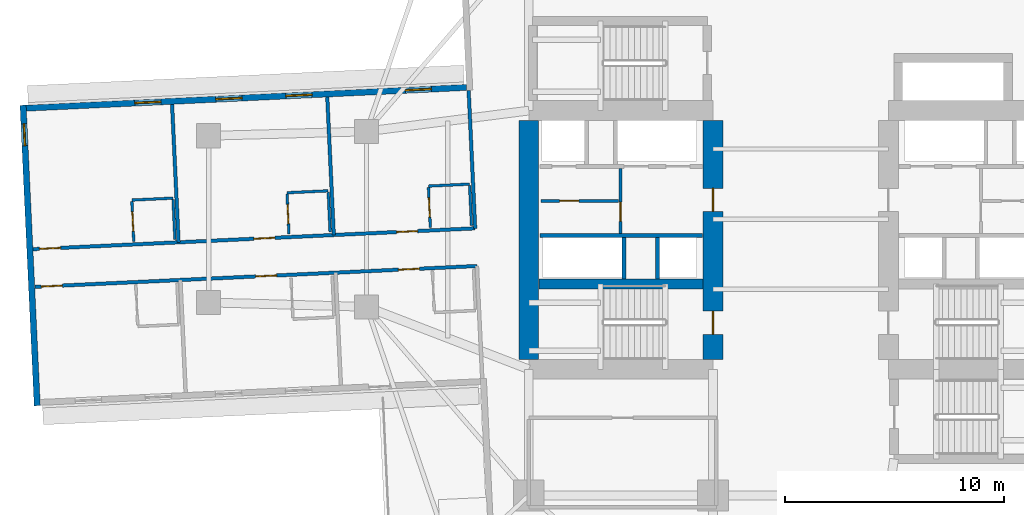
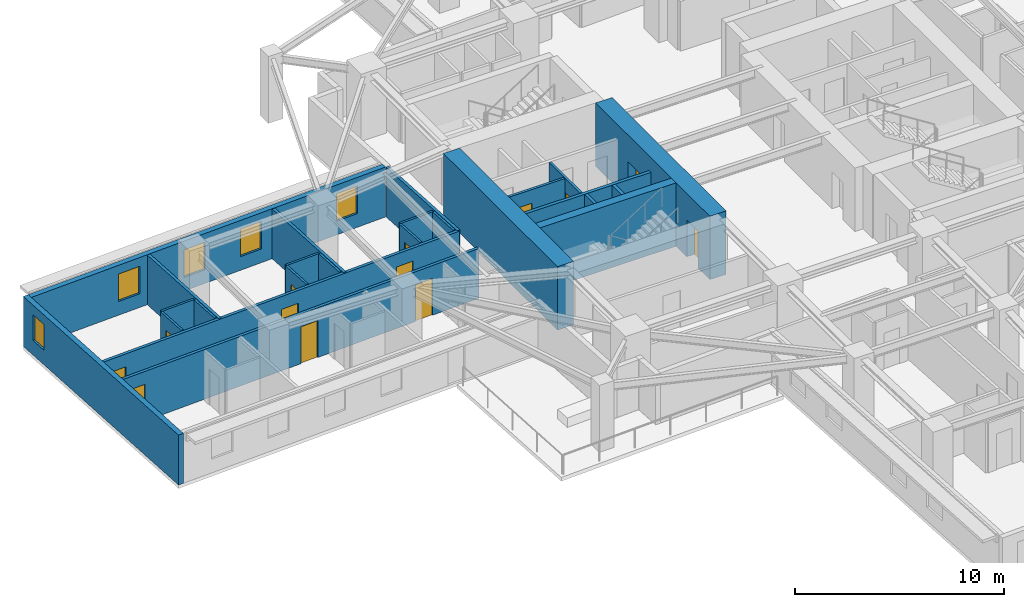
# One storey, part 5 of 14: 24 walls, 13 doors, 5 windows, 18 openings.
"""IFC4 building model written with IfcOpenShell, lengths in metres."""

from ifc_helpers import new_model, si_unit, direction, frame, frame_2d, origin, place, context, subcontext, project, spatial, rectangle, extrude, material, layer, layer_set, type_object, element, fill, save


model = new_model("IFC4")

# Units and contexts
model_context = context("Model", 3, precision=1e-05, world=origin(), true_north=direction((0.0, 1.0)))
body_context = subcontext(model_context, "Body", "Model", "MODEL_VIEW")
ifc_project = project(units=[si_unit("LENGTHUNIT", "METRE"), si_unit("AREAUNIT", "SQUARE_METRE"), si_unit("VOLUMEUNIT", "CUBIC_METRE"), si_unit("PLANEANGLEUNIT", "RADIAN"), si_unit("MASSUNIT", "GRAM", prefix="KILO")], contexts=[model_context])

# Site, building, storey
site_placement = place(None, origin())
site = spatial("IfcSite", under=ifc_project, at=site_placement, CompositionType="ELEMENT")
building_placement = place(site_placement, origin())
building = spatial("IfcBuilding", under=site, at=building_placement, Name="Qingluan Cross Belvedere", CompositionType="ELEMENT")
storey_placement = place(building_placement, frame((0.0, 0.0, 52.199951171875)))
storey = spatial("IfcBuildingStorey", under=building, at=storey_placement, Name="L13", CompositionType="ELEMENT", Elevation=52.199951171875)

# Walls
ifc_material_1 = material(Name="Concrete C50", Category="concrete")
ifc_layer_1 = layer(ifc_material_1, 0.449951171875, Name="CoreShearWall_450")
ifc_layer_set_1 = layer_set([ifc_layer_1], Name="Concrete C50")
wall_type_1 = type_object("IfcWallType", Name="CoreShearWall_450", PredefinedType="SHEAR", material=ifc_layer_set_1)
wall_1_placement = place(storey_placement, frame((-11.945068359375, -2.9599609375, 0.0), z_axis=(0.0, 0.0, 1.0), x_axis=(1.0, 0.0, 0.0)))
element("IfcWall", 1, at=wall_1_placement, inside=storey, type_object=wall_type_1, Name="Split core W shear wall L13-M", PredefinedType="SHEAR", context=body_context, shape_type="SweptSolid", body=[
    extrude(rectangle(XDim=7.489990234375, YDim=0.449951171875, at=frame_2d((3.7451171875, 0.0))), origin(), (0.0, 0.0, 1.0), 3.699951171875),
])
ifc_material_2 = material(Name="Concrete C70", Category="concrete")
ifc_layer_2 = layer(ifc_material_2, 0.89990234375, Name="CoreShearWall_900")
ifc_layer_set_2 = layer_set([ifc_layer_2], Name="Concrete C70")
wall_type_2 = type_object("IfcWallType", Name="CoreShearWall_900", PredefinedType="SHEAR", material=ifc_layer_set_2)
wall_2_placement = place(storey_placement, frame((-12.39990234375, -6.39501953125, 0.0), z_axis=(0.0, 0.0, 1.0), x_axis=(0.0, 1.0, 0.0)))
element("IfcWall", 2, at=wall_2_placement, inside=storey, type_object=wall_type_2, Name="Split core W shear wall L13-W", PredefinedType="SHEAR", context=body_context, shape_type="SweptSolid", body=[
    extrude(rectangle(XDim=10.89013671875, YDim=0.89990234375, at=frame_2d((5.445068359375, 0.0))), origin(), (0.0, 0.0, 1.0), 3.699951171875),
])

# Wall, openings, doors
wall_3_placement = place(storey_placement, frame((-4.0, -6.39501953125, 0.0), z_axis=(0.0, 0.0, 1.0), x_axis=(0.0, 1.0, 0.0)))
wall_3 = element("IfcWall", 3, at=wall_3_placement, inside=storey, type_object=wall_type_2, Name="Split core W shear wall L13-E", PredefinedType="SHEAR", context=body_context, shape_type="SweptSolid", body=[
    extrude(rectangle(XDim=10.89013671875, YDim=0.89990234375, at=frame_2d((5.445068359375, 0.0))), origin(), (0.0, 0.0, 1.0), 3.699951171875),
])
opening_1_placement = place(wall_3_placement, frame((1.14501953125, 0.0, 0.0)))
opening_1 = element("IfcOpeningElement", 4, at=opening_1_placement, cuts=wall_3, Name="Opening FD-B11", PredefinedType="OPENING", context=body_context, shape_type="SweptSolid", body=[
    extrude(rectangle(XDim=1.050048828125, YDim=2.14990234375, at=frame_2d((0.52490234375, 1.074951171875))), frame((0.0, 0.4599609375, 0.0), z_axis=(0.0, -1.0, 0.0), x_axis=(1.0, 0.0, 0.0)), (0.0, 0.0, 1.0), 0.919921875),
])
opening_2_placement = place(wall_3_placement, frame((6.7451171875, 0.0, 0.0)))
opening_2 = element("IfcOpeningElement", 5, at=opening_2_placement, cuts=wall_3, Name="Opening FD-B11", PredefinedType="OPENING", context=body_context, shape_type="SweptSolid", body=[
    extrude(rectangle(XDim=1.050048828125, YDim=2.14990234375, at=frame_2d((0.52490234375, 1.074951171875))), frame((0.0, 0.4599609375, 0.0), z_axis=(0.0, -1.0, 0.0), x_axis=(1.0, 0.0, 0.0)), (0.0, 0.0, 1.0), 0.919921875),
])
ifc_material_3 = material(Name="Steel Class B smoke-seal fire door", Category="steel")
door_type_1 = type_object("IfcDoorType", Name="StairLobbyFireDoor_FDB", OperationType="NOTDEFINED", PredefinedType="DOOR", material=ifc_material_3)
door_1_placement = place(opening_1_placement, origin())
door_1 = element("IfcDoor", 6, at=door_1_placement, inside=storey, type_object=door_type_1, Name="Smoke-proof stair ST1 fire door L13", OperationType="SINGLE_SWING_RIGHT", OverallHeight=2.14990234375, OverallWidth=1.050048828125, PredefinedType="DOOR", context=body_context, shape_type="SweptSolid", body=[
    extrude(rectangle(XDim=1.050048828125, YDim=2.14990234375, at=frame_2d((0.52490234375, 1.074951171875))), frame((0.0, 0.02490234375, 0.0), z_axis=(0.0, -1.0, 0.0), x_axis=(1.0, 0.0, 0.0)), (0.0, 0.0, 1.0), 0.050048828125),
])
fill(opening_1, door_1)
door_2_placement = place(opening_2_placement, origin())
door_2 = element("IfcDoor", 7, at=door_2_placement, inside=storey, type_object=door_type_1, Name="Firefighting lobby West fire door L13", OperationType="SINGLE_SWING_RIGHT", OverallHeight=2.14990234375, OverallWidth=1.050048828125, PredefinedType="DOOR", context=body_context, shape_type="SweptSolid", body=[
    extrude(rectangle(XDim=1.050048828125, YDim=2.14990234375, at=frame_2d((0.52490234375, 1.074951171875))), frame((0.0, 0.02490234375, 0.0), z_axis=(0.0, -1.0, 0.0), x_axis=(1.0, 0.0, 0.0)), (0.0, 0.0, 1.0), 0.050048828125),
])
fill(opening_2, door_2)

# Wall, opening, door
ifc_material_4 = material(Name="Gypsum plasterboard on steel stud acoustic partition", Category="steel")
ifc_layer_3 = layer(ifc_material_4, 0.159912109375, Name="CorridorPartition_160")
ifc_layer_set_3 = layer_set([ifc_layer_3], Name="Gypsum plasterboard on steel stud acoustic partition")
wall_type_3 = type_object("IfcWallType", Name="CorridorPartition_160", PredefinedType="PARTITIONING", material=ifc_layer_set_3)
wall_4_placement = place(storey_placement, frame((-11.85009765625, 0.830078125, 0.0), z_axis=(0.0, 0.0, 1.0), x_axis=(1.0, 0.0, 0.0)))
wall_4 = element("IfcWall", 8, at=wall_4_placement, inside=storey, type_object=wall_type_3, Name="Partition L13:w", PredefinedType="PARTITIONING", context=body_context, shape_type="SweptSolid", body=[
    extrude(rectangle(XDim=3.552001953125, YDim=0.139892578125, at=frame_2d((1.77587890625, 0.0))), origin(), (0.0, 0.0, 1.0), 2.900146484375),
])
opening_3_placement = place(wall_4_placement, frame((0.85009765625, 0.0, 0.0)))
opening_3 = element("IfcOpeningElement", 9, at=opening_3_placement, cuts=wall_4, Name="Opening FD-B10", PredefinedType="OPENING", context=body_context, shape_type="SweptSolid", body=[
    extrude(rectangle(XDim=0.8798828125, YDim=2.10009765625, at=frame_2d((0.43994140625, 1.050048828125))), frame((0.0, 0.079833984375, 0.0), z_axis=(0.0, -1.0, 0.0), x_axis=(1.0, 0.0, 0.0)), (0.0, 0.0, 1.0), 0.159912109375),
])
ifc_material_5 = material(Name="Steel Class B service fire door", Category="steel")
door_type_2 = type_object("IfcDoorType", Name="RiserServiceFireDoor_FDB", OperationType="NOTDEFINED", PredefinedType="DOOR", material=ifc_material_5)
door_3_placement = place(opening_3_placement, origin())
door_3 = element("IfcDoor", 10, at=door_3_placement, inside=storey, type_object=door_type_2, Name="Service closet inner door L13", OperationType="SINGLE_SWING_RIGHT", OverallHeight=2.10009765625, OverallWidth=0.8798828125, PredefinedType="DOOR", context=body_context, shape_type="SweptSolid", body=[
    extrude(rectangle(XDim=0.8798828125, YDim=2.10009765625, at=frame_2d((0.43994140625, 1.050048828125))), frame((0.0, 0.02490234375, 0.0), z_axis=(0.0, -1.0, 0.0), x_axis=(1.0, 0.0, 0.0)), (0.0, 0.0, 1.0), 0.050048828125),
])
fill(opening_3, door_3)

# Wall, openings, doors
wall_5_placement = place(storey_placement, frame((-14.8466796875, -0.419921875, 0.0), z_axis=(0.0, 0.0, 1.0), x_axis=(-0.998889926753, -0.047105352469, 0.0)))
wall_5 = element("IfcWall", 11, at=wall_5_placement, inside=storey, type_object=wall_type_3, Name="Partition L13:W:c0", PredefinedType="PARTITIONING", context=body_context, shape_type="SweptSolid", body=[
    extrude(rectangle(XDim=20.18212890625, YDim=0.159912109375, at=frame_2d((10.091064453125, 0.0))), origin(), (0.0, 0.0, 1.0), 2.900146484375),
])
opening_4_placement = place(wall_5_placement, frame((2.6259765625, 0.0, 0.0)))
opening_4 = element("IfcOpeningElement", 12, at=opening_4_placement, cuts=wall_5, Name="Opening GD-10", PredefinedType="OPENING", context=body_context, shape_type="SweptSolid", body=[
    extrude(rectangle(XDim=0.9599609375, YDim=2.14990234375, at=frame_2d((0.47998046875, 1.074951171875))), frame((0.0, 0.08984375, 0.0), z_axis=(0.0, -1.0, 0.0), x_axis=(1.0, 0.0, 0.0)), (0.0, 0.0, 1.0), 0.179931640625),
])
opening_5_placement = place(wall_5_placement, frame((9.14306640625, 0.0, 0.0)))
opening_5 = element("IfcOpeningElement", 13, at=opening_5_placement, cuts=wall_5, Name="Opening GD-10", PredefinedType="OPENING", context=body_context, shape_type="SweptSolid", body=[
    extrude(rectangle(XDim=0.9599609375, YDim=2.14990234375, at=frame_2d((0.47998046875, 1.074951171875))), frame((0.0, 0.08984375, 0.0), z_axis=(0.0, -1.0, 0.0), x_axis=(1.0, 0.0, 0.0)), (0.0, 0.0, 1.0), 0.179931640625),
])
opening_6_placement = place(wall_5_placement, frame((18.929931640625, 0.0, 0.0)))
opening_6 = element("IfcOpeningElement", 14, at=opening_6_placement, cuts=wall_5, Name="Opening GD-10", PredefinedType="OPENING", context=body_context, shape_type="SweptSolid", body=[
    extrude(rectangle(XDim=0.9599609375, YDim=2.14990234375, at=frame_2d((0.47998046875, 1.074951171875))), frame((0.0, 0.08984375, 0.0), z_axis=(0.0, -1.0, 0.0), x_axis=(1.0, 0.0, 0.0)), (0.0, 0.0, 1.0), 0.179931640625),
])
ifc_material_6 = material(Name="Timber oak fire-rated acoustic guestroom door", Category="wood")
door_type_3 = type_object("IfcDoorType", Name="GuestEntryDoor_FD60", OperationType="NOTDEFINED", PredefinedType="DOOR", material=ifc_material_6)
door_4_placement = place(opening_4_placement, origin())
door_4 = element("IfcDoor", 15, at=door_4_placement, inside=storey, type_object=door_type_3, Name="Guest entry fire door 1307", OperationType="SINGLE_SWING_LEFT", OverallHeight=2.14990234375, OverallWidth=0.9599609375, PredefinedType="DOOR", context=body_context, shape_type="SweptSolid", body=[
    extrude(rectangle(XDim=0.9599609375, YDim=2.14990234375, at=frame_2d((0.47998046875, 1.074951171875))), frame((0.0, 0.02490234375, 0.0), z_axis=(0.0, -1.0, 0.0), x_axis=(1.0, 0.0, 0.0)), (0.0, 0.0, 1.0), 0.050048828125),
])
fill(opening_4, door_4)
door_5_placement = place(opening_5_placement, origin())
door_5 = element("IfcDoor", 16, at=door_5_placement, inside=storey, type_object=door_type_3, Name="Guest entry fire door 1308", OperationType="SINGLE_SWING_LEFT", OverallHeight=2.14990234375, OverallWidth=0.9599609375, PredefinedType="DOOR", context=body_context, shape_type="SweptSolid", body=[
    extrude(rectangle(XDim=0.9599609375, YDim=2.14990234375, at=frame_2d((0.47998046875, 1.074951171875))), frame((0.0, 0.02490234375, 0.0), z_axis=(0.0, -1.0, 0.0), x_axis=(1.0, 0.0, 0.0)), (0.0, 0.0, 1.0), 0.050048828125),
])
fill(opening_5, door_5)
door_6_placement = place(opening_6_placement, origin())
door_6 = element("IfcDoor", 17, at=door_6_placement, inside=storey, type_object=door_type_3, Name="Guest entry fire door 1309", OperationType="SINGLE_SWING_LEFT", OverallHeight=2.14990234375, OverallWidth=0.9599609375, PredefinedType="DOOR", context=body_context, shape_type="SweptSolid", body=[
    extrude(rectangle(XDim=0.9599609375, YDim=2.14990234375, at=frame_2d((0.47998046875, 1.074951171875))), frame((0.0, 0.02490234375, 0.0), z_axis=(0.0, -1.0, 0.0), x_axis=(1.0, 0.0, 0.0)), (0.0, 0.0, 1.0), 0.050048828125),
])
fill(opening_6, door_6)

# Walls
wall_6_placement = place(storey_placement, frame((-14.8466796875, -0.419921875, 0.0), z_axis=(0.0, 0.0, 1.0), x_axis=(-0.047104274115, 0.998889977605, 0.0)))
element("IfcWall", 18, at=wall_6_placement, inside=storey, type_object=wall_type_3, Name="Partition L13:W:s0", PredefinedType="PARTITIONING", context=body_context, shape_type="SweptSolid", body=[
    extrude(rectangle(XDim=6.292236328125, YDim=0.159912109375, at=frame_2d((3.14599609375, 0.0))), origin(), (0.0, 0.0, 1.0), 2.900146484375),
])
for number, where, z_axis, x_axis, name in (
    (19, (-21.29443359375, -0.723876953125, 0.0), (0.0, 0.0, 1.0), (-0.047106099844, 0.998889891508, 0.0), "Partition L13:W:d0_0"),
    (20, (-28.37158203125, -1.0576171875, 0.0), (0.0, 0.0, 1.0), (-0.047106099844, 0.998889891508, 0.0), "Partition L13:W:d0_1"),
):
    element("IfcWall", number, at=place(storey_placement, frame(where, z_axis=z_axis, x_axis=x_axis)), inside=storey, type_object=wall_type_3, Name=name, PredefinedType="PARTITIONING", context=body_context, shape_type="SweptSolid", body=[
        extrude(rectangle(XDim=6.2919921875, YDim=0.159912109375, at=frame_2d((3.14599609375, 0.0))), origin(), (0.0, 0.0, 1.0), 2.900146484375),
    ])

# Wall, openings, doors
wall_7_placement = place(storey_placement, frame((-14.765625, -2.137939453125, 0.0), z_axis=(0.0, 0.0, 1.0), x_axis=(-0.998889926753, -0.047105352469, 0.0)))
wall_7 = element("IfcWall", 21, at=wall_7_placement, inside=storey, type_object=wall_type_3, Name="Partition L13:W:c1", PredefinedType="PARTITIONING", context=body_context, shape_type="SweptSolid", body=[
    extrude(rectangle(XDim=20.18212890625, YDim=0.159912109375, at=frame_2d((10.091064453125, 0.0))), origin(), (0.0, 0.0, 1.0), 2.900146484375),
])
opening_7_placement = place(wall_7_placement, frame((2.6259765625, 0.0, 0.0)))
opening_7 = element("IfcOpeningElement", 22, at=opening_7_placement, cuts=wall_7, Name="Opening GD-10", PredefinedType="OPENING", context=body_context, shape_type="SweptSolid", body=[
    extrude(rectangle(XDim=0.9599609375, YDim=2.14990234375, at=frame_2d((0.47998046875, 1.074951171875))), frame((0.0, 0.08984375, 0.0), z_axis=(0.0, -1.0, 0.0), x_axis=(1.0, 0.0, 0.0)), (0.0, 0.0, 1.0), 0.179931640625),
])
opening_8_placement = place(wall_7_placement, frame((9.14306640625, 0.0, 0.0)))
opening_8 = element("IfcOpeningElement", 23, at=opening_8_placement, cuts=wall_7, Name="Opening GD-10", PredefinedType="OPENING", context=body_context, shape_type="SweptSolid", body=[
    extrude(rectangle(XDim=0.9599609375, YDim=2.14990234375, at=frame_2d((0.47998046875, 1.074951171875))), frame((0.0, 0.08984375, 0.0), z_axis=(0.0, -1.0, 0.0), x_axis=(1.0, 0.0, 0.0)), (0.0, 0.0, 1.0), 0.179931640625),
])
opening_9_placement = place(wall_7_placement, frame((18.929931640625, 0.0, 0.0)))
opening_9 = element("IfcOpeningElement", 24, at=opening_9_placement, cuts=wall_7, Name="Opening GD-10", PredefinedType="OPENING", context=body_context, shape_type="SweptSolid", body=[
    extrude(rectangle(XDim=0.9599609375, YDim=2.14990234375, at=frame_2d((0.47998046875, 1.074951171875))), frame((0.0, 0.08984375, 0.0), z_axis=(0.0, -1.0, 0.0), x_axis=(1.0, 0.0, 0.0)), (0.0, 0.0, 1.0), 0.179931640625),
])
door_7_placement = place(opening_7_placement, origin())
door_7 = element("IfcDoor", 25, at=door_7_placement, inside=storey, type_object=door_type_3, Name="Guest entry fire door 1310", OperationType="SINGLE_SWING_LEFT", OverallHeight=2.14990234375, OverallWidth=0.9599609375, PredefinedType="DOOR", context=body_context, shape_type="SweptSolid", body=[
    extrude(rectangle(XDim=0.9599609375, YDim=2.14990234375, at=frame_2d((0.47998046875, 1.074951171875))), frame((0.0, 0.02490234375, 0.0), z_axis=(0.0, -1.0, 0.0), x_axis=(1.0, 0.0, 0.0)), (0.0, 0.0, 1.0), 0.050048828125),
])
fill(opening_7, door_7)
door_8_placement = place(opening_8_placement, origin())
door_8 = element("IfcDoor", 26, at=door_8_placement, inside=storey, type_object=door_type_3, Name="Guest entry fire door 1311", OperationType="SINGLE_SWING_LEFT", OverallHeight=2.14990234375, OverallWidth=0.9599609375, PredefinedType="DOOR", context=body_context, shape_type="SweptSolid", body=[
    extrude(rectangle(XDim=0.9599609375, YDim=2.14990234375, at=frame_2d((0.47998046875, 1.074951171875))), frame((0.0, 0.02490234375, 0.0), z_axis=(0.0, -1.0, 0.0), x_axis=(1.0, 0.0, 0.0)), (0.0, 0.0, 1.0), 0.050048828125),
])
fill(opening_8, door_8)
door_9_placement = place(opening_9_placement, origin())
door_9 = element("IfcDoor", 27, at=door_9_placement, inside=storey, type_object=door_type_3, Name="Guest entry fire door 1312", OperationType="SINGLE_SWING_LEFT", OverallHeight=2.14990234375, OverallWidth=0.9599609375, PredefinedType="DOOR", context=body_context, shape_type="SweptSolid", body=[
    extrude(rectangle(XDim=0.9599609375, YDim=2.14990234375, at=frame_2d((0.47998046875, 1.074951171875))), frame((0.0, 0.02490234375, 0.0), z_axis=(0.0, -1.0, 0.0), x_axis=(1.0, 0.0, 0.0)), (0.0, 0.0, 1.0), 0.050048828125),
])
fill(opening_9, door_9)

# Wall, opening, door
ifc_material_7 = material(Name="Moisture-resistant gypsum board lining")
ifc_layer_4 = layer(ifc_material_7, 0.1201171875, Name="EnsuiteWetPartition_120")
ifc_layer_set_4 = layer_set([ifc_layer_4], Name="Moisture-resistant gypsum board lining")
wall_type_4 = type_object("IfcWallType", Name="EnsuiteWetPartition_120", PredefinedType="PARTITIONING", material=ifc_layer_set_4)
wall_8_placement = place(storey_placement, frame((-16.89111328125, -0.376220703125, 0.0), z_axis=(0.0, 0.0, 1.0), x_axis=(-0.047080807099, 0.998891083954, 0.0)))
wall_8 = element("IfcWall", 28, at=wall_8_placement, inside=storey, type_object=wall_type_4, Name="Partition L13:W:bs0_0", PredefinedType="PARTITIONING", context=body_context, shape_type="SweptSolid", body=[
    extrude(rectangle(XDim=1.820068359375, YDim=0.1201171875, at=frame_2d((0.91015625, 0.0))), origin(), (0.0, 0.0, 1.0), 2.900146484375),
])
opening_10_placement = place(wall_8_placement, frame((0.469970703125, 0.0, 0.0)))
opening_10 = element("IfcOpeningElement", 29, at=opening_10_placement, cuts=wall_8, Name="Opening BD-09", PredefinedType="OPENING", context=body_context, shape_type="SweptSolid", body=[
    extrude(rectangle(XDim=0.8798828125, YDim=2.10009765625, at=frame_2d((0.43994140625, 1.050048828125))), frame((0.0, 0.070068359375, 0.0), z_axis=(0.0, -1.0, 0.0), x_axis=(1.0, 0.0, 0.0)), (0.0, 0.0, 1.0), 0.14013671875),
])
ifc_material_8 = material(Name="Moisture-sealed timber en-suite door", Category="wood")
door_type_4 = type_object("IfcDoorType", Name="BathroomDoor_880", OperationType="NOTDEFINED", PredefinedType="DOOR", material=ifc_material_8)
door_10_placement = place(opening_10_placement, origin())
door_10 = element("IfcDoor", 30, at=door_10_placement, inside=storey, type_object=door_type_4, Name="Bathroom door 1307", OperationType="SINGLE_SWING_RIGHT", OverallHeight=2.10009765625, OverallWidth=0.8798828125, PredefinedType="DOOR", context=body_context, shape_type="SweptSolid", body=[
    extrude(rectangle(XDim=0.8798828125, YDim=2.10009765625, at=frame_2d((0.43994140625, 1.050048828125))), frame((0.0, 0.02490234375, 0.0), z_axis=(0.0, -1.0, 0.0), x_axis=(1.0, 0.0, 0.0)), (0.0, 0.0, 1.0), 0.050048828125),
])
fill(opening_10, door_10)

# Walls
wall_9_placement = place(storey_placement, frame((-15.01318359375, -0.28759765625, 0.0), z_axis=(0.0, 0.0, 1.0), x_axis=(-0.047080807099, 0.998891083954, 0.0)))
element("IfcWall", 31, at=wall_9_placement, inside=storey, type_object=wall_type_4, Name="Partition L13:W:bw0_0", PredefinedType="PARTITIONING", context=body_context, shape_type="SweptSolid", body=[
    extrude(rectangle(XDim=1.820068359375, YDim=0.1201171875, at=frame_2d((0.91015625, 0.0))), origin(), (0.0, 0.0, 1.0), 2.900146484375),
])
wall_10_placement = place(storey_placement, frame((-15.101806640625, 1.595458984375, 0.0), z_axis=(0.0, 0.0, 1.0), x_axis=(-0.998888319371, -0.047139425368, 0.0)))
element("IfcWall", 32, at=wall_10_placement, inside=storey, type_object=wall_type_4, Name="Partition L13:W:bn0_0", PredefinedType="PARTITIONING", context=body_context, shape_type="SweptSolid", body=[
    extrude(rectangle(XDim=1.880126953125, YDim=0.1201171875, at=frame_2d((0.93994140625, 0.0))), origin(), (0.0, 0.0, 1.0), 2.900146484375),
])

# Wall, opening, door
wall_11_placement = place(storey_placement, frame((-23.3388671875, -0.68017578125, 0.0), z_axis=(0.0, 0.0, 1.0), x_axis=(-0.047087116047, 0.998890786574, 0.0)))
wall_11 = element("IfcWall", 33, at=wall_11_placement, inside=storey, type_object=wall_type_4, Name="Partition L13:W:bs0_1", PredefinedType="PARTITIONING", context=body_context, shape_type="SweptSolid", body=[
    extrude(rectangle(XDim=1.81982421875, YDim=0.1201171875, at=frame_2d((0.909912109375, 0.0))), origin(), (0.0, 0.0, 1.0), 2.900146484375),
])
opening_11_placement = place(wall_11_placement, frame((0.469970703125, 0.0, 0.0)))
opening_11 = element("IfcOpeningElement", 34, at=opening_11_placement, cuts=wall_11, Name="Opening BD-09", PredefinedType="OPENING", context=body_context, shape_type="SweptSolid", body=[
    extrude(rectangle(XDim=0.8798828125, YDim=2.10009765625, at=frame_2d((0.43994140625, 1.050048828125))), frame((0.0, 0.070068359375, 0.0), z_axis=(0.0, -1.0, 0.0), x_axis=(1.0, 0.0, 0.0)), (0.0, 0.0, 1.0), 0.14013671875),
])
door_11_placement = place(opening_11_placement, origin())
door_11 = element("IfcDoor", 35, at=door_11_placement, inside=storey, type_object=door_type_4, Name="Bathroom door 1308", OperationType="SINGLE_SWING_RIGHT", OverallHeight=2.10009765625, OverallWidth=0.8798828125, PredefinedType="DOOR", context=body_context, shape_type="SweptSolid", body=[
    extrude(rectangle(XDim=0.8798828125, YDim=2.10009765625, at=frame_2d((0.43994140625, 1.050048828125))), frame((0.0, 0.02490234375, 0.0), z_axis=(0.0, -1.0, 0.0), x_axis=(1.0, 0.0, 0.0)), (0.0, 0.0, 1.0), 0.050048828125),
])
fill(opening_11, door_11)

# Walls
wall_12_placement = place(storey_placement, frame((-21.4609375, -0.591552734375, 0.0), z_axis=(0.0, 0.0, 1.0), x_axis=(-0.047087116047, 0.998890786574, 0.0)))
element("IfcWall", 36, at=wall_12_placement, inside=storey, type_object=wall_type_4, Name="Partition L13:W:bw0_1", PredefinedType="PARTITIONING", context=body_context, shape_type="SweptSolid", body=[
    extrude(rectangle(XDim=1.81982421875, YDim=0.1201171875, at=frame_2d((0.909912109375, 0.0))), origin(), (0.0, 0.0, 1.0), 2.900146484375),
])
wall_13_placement = place(storey_placement, frame((-21.5498046875, 1.291259765625, 0.0), z_axis=(0.0, 0.0, 1.0), x_axis=(-0.998888319371, -0.047139425368, 0.0)))
element("IfcWall", 37, at=wall_13_placement, inside=storey, type_object=wall_type_4, Name="Partition L13:W:bn0_1", PredefinedType="PARTITIONING", context=body_context, shape_type="SweptSolid", body=[
    extrude(rectangle(XDim=1.880126953125, YDim=0.1201171875, at=frame_2d((0.93994140625, 0.0))), origin(), (0.0, 0.0, 1.0), 2.900146484375),
])

# Wall, opening, door
wall_14_placement = place(storey_placement, frame((-30.416015625, -1.013916015625, 0.0), z_axis=(0.0, 0.0, 1.0), x_axis=(-0.047080807099, 0.998891083954, 0.0)))
wall_14 = element("IfcWall", 38, at=wall_14_placement, inside=storey, type_object=wall_type_4, Name="Partition L13:W:bs0_2", PredefinedType="PARTITIONING", context=body_context, shape_type="SweptSolid", body=[
    extrude(rectangle(XDim=1.820068359375, YDim=0.1201171875, at=frame_2d((0.91015625, 0.0))), origin(), (0.0, 0.0, 1.0), 2.900146484375),
])
opening_12_placement = place(wall_14_placement, frame((0.469970703125, 0.0, 0.0)))
opening_12 = element("IfcOpeningElement", 39, at=opening_12_placement, cuts=wall_14, Name="Opening BD-09", PredefinedType="OPENING", context=body_context, shape_type="SweptSolid", body=[
    extrude(rectangle(XDim=0.8798828125, YDim=2.10009765625, at=frame_2d((0.43994140625, 1.050048828125))), frame((0.0, 0.070068359375, 0.0), z_axis=(0.0, -1.0, 0.0), x_axis=(1.0, 0.0, 0.0)), (0.0, 0.0, 1.0), 0.14013671875),
])
door_12_placement = place(opening_12_placement, origin())
door_12 = element("IfcDoor", 40, at=door_12_placement, inside=storey, type_object=door_type_4, Name="Bathroom door 1309", OperationType="SINGLE_SWING_RIGHT", OverallHeight=2.10009765625, OverallWidth=0.8798828125, PredefinedType="DOOR", context=body_context, shape_type="SweptSolid", body=[
    extrude(rectangle(XDim=0.8798828125, YDim=2.10009765625, at=frame_2d((0.43994140625, 1.050048828125))), frame((0.0, 0.02490234375, 0.0), z_axis=(0.0, -1.0, 0.0), x_axis=(1.0, 0.0, 0.0)), (0.0, 0.0, 1.0), 0.050048828125),
])
fill(opening_12, door_12)

# Walls
wall_15_placement = place(storey_placement, frame((-28.5380859375, -0.92529296875, 0.0), z_axis=(0.0, 0.0, 1.0), x_axis=(-0.047087116047, 0.998890786574, 0.0)))
element("IfcWall", 41, at=wall_15_placement, inside=storey, type_object=wall_type_4, Name="Partition L13:W:bw0_2", PredefinedType="PARTITIONING", context=body_context, shape_type="SweptSolid", body=[
    extrude(rectangle(XDim=1.81982421875, YDim=0.1201171875, at=frame_2d((0.909912109375, 0.0))), origin(), (0.0, 0.0, 1.0), 2.900146484375),
])
wall_16_placement = place(storey_placement, frame((-28.626953125, 0.95751953125, 0.0), z_axis=(0.0, 0.0, 1.0), x_axis=(-0.998888319371, -0.047139425368, 0.0)))
element("IfcWall", 42, at=wall_16_placement, inside=storey, type_object=wall_type_4, Name="Partition L13:W:bn0_2", PredefinedType="PARTITIONING", context=body_context, shape_type="SweptSolid", body=[
    extrude(rectangle(XDim=1.880126953125, YDim=0.1201171875, at=frame_2d((0.93994140625, 0.0))), origin(), (0.0, 0.0, 1.0), 2.900146484375),
])

# Wall, openings, windows
ifc_material_9 = material(Name="Precast concrete C45", Category="concrete")
ifc_layer_5 = layer(ifc_material_9, 0.280029296875, Name="PrecastFacadeWall_280")
ifc_layer_set_5 = layer_set([ifc_layer_5], Name="Precast concrete C45")
wall_type_5 = type_object("IfcWallType", Name="PrecastFacadeWall_280", PredefinedType="STANDARD", material=ifc_layer_set_5)
wall_17_placement = place(storey_placement, frame((-15.239990234375, 6.0087890625, 0.0), z_axis=(0.0, 0.0, 1.0), x_axis=(-0.998890015344, -0.047103473814, 0.0)))
wall_17 = element("IfcWall", 43, at=wall_17_placement, inside=storey, type_object=wall_type_5, Name="Facade wall L13-WA", PredefinedType="STANDARD", context=body_context, shape_type="SweptSolid", body=[
    extrude(rectangle(XDim=20.099853515625, YDim=0.280029296875, at=frame_2d((10.0498046875, 0.0))), origin(), (0.0, 0.0, 1.0), 2.91015625),
])
opening_13_placement = place(wall_17_placement, frame((1.60009765625, 0.0, 0.800048828125)))
opening_13 = element("IfcOpeningElement", 44, at=opening_13_placement, cuts=wall_17, Name="Opening W-02", PredefinedType="OPENING", context=body_context, shape_type="SweptSolid", body=[
    extrude(rectangle(XDim=1.199951171875, YDim=1.60009765625, at=frame_2d((0.60009765625, 0.800048828125))), frame((0.0, 0.14990234375, 0.0), z_axis=(0.0, -1.0, 0.0), x_axis=(1.0, 0.0, 0.0)), (0.0, 0.0, 1.0), 0.300048828125),
])
opening_14_placement = place(wall_17_placement, frame((7.050048828125, 0.0, 0.800048828125)))
opening_14 = element("IfcOpeningElement", 45, at=opening_14_placement, cuts=wall_17, Name="Opening W-02", PredefinedType="OPENING", context=body_context, shape_type="SweptSolid", body=[
    extrude(rectangle(XDim=1.199951171875, YDim=1.60009765625, at=frame_2d((0.60009765625, 0.800048828125))), frame((0.0, 0.14990234375, 0.0), z_axis=(0.0, -1.0, 0.0), x_axis=(1.0, 0.0, 0.0)), (0.0, 0.0, 1.0), 0.300048828125),
])
opening_15_placement = place(wall_17_placement, frame((10.25, 0.0, 0.800048828125)))
opening_15 = element("IfcOpeningElement", 46, at=opening_15_placement, cuts=wall_17, Name="Opening W-02", PredefinedType="OPENING", context=body_context, shape_type="SweptSolid", body=[
    extrude(rectangle(XDim=1.199951171875, YDim=1.60009765625, at=frame_2d((0.60009765625, 0.800048828125))), frame((0.0, 0.14990234375, 0.0), z_axis=(0.0, -1.0, 0.0), x_axis=(1.0, 0.0, 0.0)), (0.0, 0.0, 1.0), 0.300048828125),
])
opening_16_placement = place(wall_17_placement, frame((13.949951171875, 0.0, 0.800048828125)))
opening_16 = element("IfcOpeningElement", 47, at=opening_16_placement, cuts=wall_17, Name="Opening W-02", PredefinedType="OPENING", context=body_context, shape_type="SweptSolid", body=[
    extrude(rectangle(XDim=1.199951171875, YDim=1.60009765625, at=frame_2d((0.60009765625, 0.800048828125))), frame((0.0, 0.14990234375, 0.0), z_axis=(0.0, -1.0, 0.0), x_axis=(1.0, 0.0, 0.0)), (0.0, 0.0, 1.0), 0.300048828125),
])
ifc_material_10 = material(Name="Thermally broken triple Low-E glass in aluminium frame", Category="aluminium")
window_type_1 = type_object("IfcWindowType", Name="TriRibbonWin_1200x1600", PartitioningType="SINGLE_PANEL", PredefinedType="WINDOW", material=ifc_material_10)
window_1_placement = place(opening_13_placement, origin())
window_1 = element("IfcWindow", 48, at=window_1_placement, inside=storey, type_object=window_type_1, Name="Ribbon window L13-WA-1", OverallHeight=1.60009765625, OverallWidth=1.199951171875, PartitioningType="SINGLE_PANEL", PredefinedType="WINDOW", context=body_context, shape_type="SweptSolid", body=[
    extrude(rectangle(XDim=1.199951171875, YDim=1.60009765625, at=frame_2d((0.60009765625, 0.800048828125))), frame((0.0, 0.030029296875, 0.0), z_axis=(0.0, -1.0, 0.0), x_axis=(1.0, 0.0, 0.0)), (0.0, 0.0, 1.0), 0.06005859375),
])
fill(opening_13, window_1)
window_2_placement = place(opening_14_placement, origin())
window_2 = element("IfcWindow", 49, at=window_2_placement, inside=storey, type_object=window_type_1, Name="Ribbon window L13-WA-2", OverallHeight=1.60009765625, OverallWidth=1.199951171875, PartitioningType="SINGLE_PANEL", PredefinedType="WINDOW", context=body_context, shape_type="SweptSolid", body=[
    extrude(rectangle(XDim=1.199951171875, YDim=1.60009765625, at=frame_2d((0.60009765625, 0.800048828125))), frame((0.0, 0.030029296875, 0.0), z_axis=(0.0, -1.0, 0.0), x_axis=(1.0, 0.0, 0.0)), (0.0, 0.0, 1.0), 0.06005859375),
])
fill(opening_14, window_2)
window_3_placement = place(opening_15_placement, origin())
window_3 = element("IfcWindow", 50, at=window_3_placement, inside=storey, type_object=window_type_1, Name="Ribbon window L13-WA-3", OverallHeight=1.60009765625, OverallWidth=1.199951171875, PartitioningType="SINGLE_PANEL", PredefinedType="WINDOW", context=body_context, shape_type="SweptSolid", body=[
    extrude(rectangle(XDim=1.199951171875, YDim=1.60009765625, at=frame_2d((0.60009765625, 0.800048828125))), frame((0.0, 0.030029296875, 0.0), z_axis=(0.0, -1.0, 0.0), x_axis=(1.0, 0.0, 0.0)), (0.0, 0.0, 1.0), 0.06005859375),
])
fill(opening_15, window_3)
window_4_placement = place(opening_16_placement, origin())
window_4 = element("IfcWindow", 51, at=window_4_placement, inside=storey, type_object=window_type_1, Name="Ribbon window L13-WA-4", OverallHeight=1.60009765625, OverallWidth=1.199951171875, PartitioningType="SINGLE_PANEL", PredefinedType="WINDOW", context=body_context, shape_type="SweptSolid", body=[
    extrude(rectangle(XDim=1.199951171875, YDim=1.60009765625, at=frame_2d((0.60009765625, 0.800048828125))), frame((0.0, 0.030029296875, 0.0), z_axis=(0.0, -1.0, 0.0), x_axis=(1.0, 0.0, 0.0)), (0.0, 0.0, 1.0), 0.06005859375),
])
fill(opening_16, window_4)

# Wall, opening, window
wall_18_placement = place(storey_placement, frame((-35.464111328125, 5.1953125, 0.0), z_axis=(0.0, 0.0, 1.0), x_axis=(0.047101845086, -0.998890092147, 0.0)))
wall_18 = element("IfcWall", 52, at=wall_18_placement, inside=storey, type_object=wall_type_5, Name="Arm tip precast facade wall L13-W", PredefinedType="STANDARD", context=body_context, shape_type="SweptSolid", body=[
    extrude(rectangle(XDim=13.719970703125, YDim=0.280029296875, at=frame_2d((6.85986328125, 0.0))), origin(), (0.0, 0.0, 1.0), 2.91015625),
])
opening_17_placement = place(wall_18_placement, frame((0.85009765625, 0.0, 0.85009765625)))
opening_17 = element("IfcOpeningElement", 53, at=opening_17_placement, cuts=wall_18, Name="Opening W-03", PredefinedType="OPENING", context=body_context, shape_type="SweptSolid", body=[
    extrude(rectangle(XDim=1.0, YDim=1.5, at=frame_2d((0.5, 0.75))), frame((0.0, 0.14990234375, 0.0), z_axis=(0.0, -1.0, 0.0), x_axis=(1.0, 0.0, 0.0)), (0.0, 0.0, 1.0), 0.300048828125),
])
ifc_material_11 = material(Name="Thermally broken triple Low-E glass in aluminium frame", Category="aluminium")
window_type_2 = type_object("IfcWindowType", Name="TriApexWin_1000x1500", PartitioningType="SINGLE_PANEL", PredefinedType="WINDOW", material=ifc_material_11)
window_5_placement = place(opening_17_placement, origin())
window_5 = element("IfcWindow", 54, at=window_5_placement, inside=storey, type_object=window_type_2, Name="Arm tip triangular window L13-W", OverallHeight=1.5, OverallWidth=1.0, PartitioningType="SINGLE_PANEL", PredefinedType="WINDOW", context=body_context, shape_type="SweptSolid", body=[
    extrude(rectangle(XDim=1.0, YDim=1.5, at=frame_2d((0.5, 0.75))), frame((0.0, 0.030029296875, 0.0), z_axis=(0.0, -1.0, 0.0), x_axis=(1.0, 0.0, 0.0)), (0.0, 0.0, 1.0), 0.06005859375),
])
fill(opening_17, window_5)

# Walls
ifc_material_12 = material(Name="Concrete C40", Category="concrete")
ifc_layer_6 = layer(ifc_material_12, 0.219970703125, Name="ShaftEnclosureWall_250")
ifc_layer_set_6 = layer_set([ifc_layer_6], Name="Concrete C40")
wall_type_6 = type_object("IfcWallType", Name="ShaftEnclosureWall_250", PredefinedType="SOLIDWALL", material=ifc_layer_set_6)
wall_19_placement = place(storey_placement, frame((-11.89990234375, -0.75, 0.0), z_axis=(0.0, 0.0, 1.0), x_axis=(1.0, 0.0, 0.0)))
element("IfcWall", 55, at=wall_19_placement, inside=storey, type_object=wall_type_6, Name="Core-W mid hoistway wall L13", PredefinedType="SOLIDWALL", context=body_context, shape_type="SweptSolid", body=[
    extrude(rectangle(XDim=7.419921875, YDim=0.179931640625, at=frame_2d((3.7099609375, 0.0))), origin(), (0.0, 0.0, 1.0), 2.900146484375),
])
for number, where, z_axis, x_axis, name in (
    (56, (-8.06005859375, -2.72998046875, 0.0), (0.0, 0.0, 1.0), (0.0, 1.0, 0.0), "Hoistway enclosure divider LP6E L13"),
    (57, (-6.5400390625, -2.72998046875, 0.0), (0.0, 0.0, 1.0), (0.0, 1.0, 0.0), "Hoistway enclosure divider LP8W L13"),
):
    element("IfcWall", number, at=place(storey_placement, frame(where, z_axis=z_axis, x_axis=x_axis)), inside=storey, type_object=wall_type_6, Name=name, PredefinedType="SOLIDWALL", context=body_context, shape_type="SweptSolid", body=[
        extrude(rectangle(XDim=1.889892578125, YDim=0.179931640625, at=frame_2d((0.94482421875, 0.0))), origin(), (0.0, 0.0, 1.0), 2.900146484375),
    ])

# Wall, opening, door
wall_20_placement = place(storey_placement, frame((-8.219970703125, -0.64990234375, 0.0), z_axis=(0.0, 0.0, 1.0), x_axis=(0.0, 1.0, 0.0)))
wall_20 = element("IfcWall", 58, at=wall_20_placement, inside=storey, type_object=wall_type_6, Name="Core-W service corridor wall L13", PredefinedType="SOLIDWALL", context=body_context, shape_type="SweptSolid", body=[
    extrude(rectangle(XDim=2.9599609375, YDim=0.139892578125, at=frame_2d((1.47998046875, 0.0))), origin(), (0.0, 0.0, 1.0), 2.900146484375),
])
opening_18_placement = place(wall_20_placement, frame((0.550048828125, 0.0, 0.0)))
opening_18 = element("IfcOpeningElement", 59, at=opening_18_placement, cuts=wall_20, Name="Opening FD-B10", PredefinedType="OPENING", context=body_context, shape_type="SweptSolid", body=[
    extrude(rectangle(XDim=0.8798828125, YDim=2.10009765625, at=frame_2d((0.43994140625, 1.050048828125))), frame((0.0, 0.079833984375, 0.0), z_axis=(0.0, -1.0, 0.0), x_axis=(1.0, 0.0, 0.0)), (0.0, 0.0, 1.0), 0.159912109375),
])
door_13_placement = place(opening_18_placement, origin())
door_13 = element("IfcDoor", 60, at=door_13_placement, inside=storey, type_object=door_type_2, Name="Core-W service room door L13", OperationType="SINGLE_SWING_RIGHT", OverallHeight=2.10009765625, OverallWidth=0.8798828125, PredefinedType="DOOR", context=body_context, shape_type="SweptSolid", body=[
    extrude(rectangle(XDim=0.8798828125, YDim=2.10009765625, at=frame_2d((0.43994140625, 1.050048828125))), frame((0.0, 0.02490234375, 0.0), z_axis=(0.0, -1.0, 0.0), x_axis=(1.0, 0.0, 0.0)), (0.0, 0.0, 1.0), 0.050048828125),
])
fill(opening_18, door_13)

save(model, "model.ifc")
